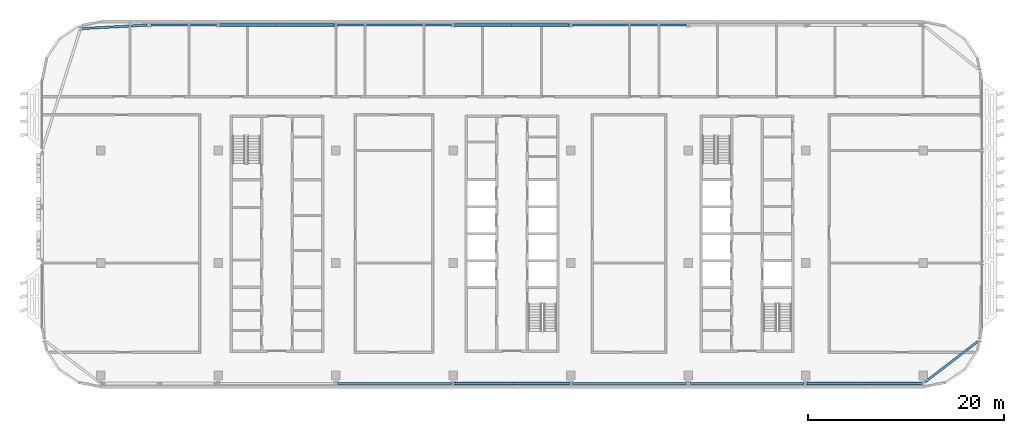
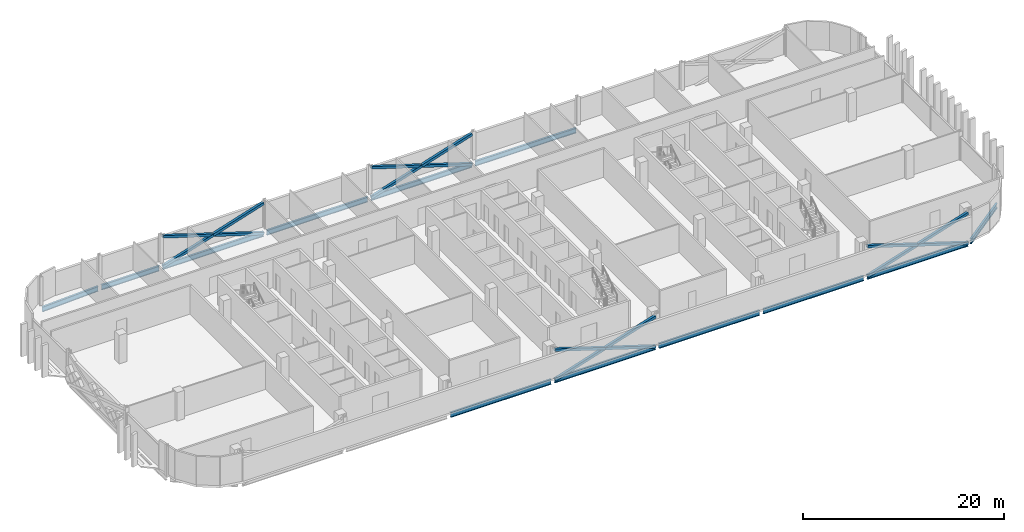
# One storey, part 7 of 25: 12 beams, 12 members.
"""IFC4 building model written with IfcOpenShell, lengths in metres."""

from ifc_helpers import new_model, si_unit, direction, frame, origin, origin_2d, place, context, subcontext, project, spatial, hollow_rectangle, i_section, extrude, material, material_profile, profile_set, type_object, element, save


model = new_model("IFC4")

# Units and contexts
model_context = context("Model", 3, precision=1e-05, world=origin(), true_north=direction((0.0, 1.0)))
body_context = subcontext(model_context, "Body", "Model", "MODEL_VIEW")
ifc_project = project(units=[si_unit("LENGTHUNIT", "METRE"), si_unit("AREAUNIT", "SQUARE_METRE"), si_unit("VOLUMEUNIT", "CUBIC_METRE"), si_unit("PLANEANGLEUNIT", "RADIAN"), si_unit("MASSUNIT", "GRAM", prefix="KILO")], contexts=[model_context])

# Site, building, storey
site_placement = place(None, origin())
site = spatial("IfcSite", under=ifc_project, at=site_placement, CompositionType="ELEMENT")
building_placement = place(site_placement, origin())
building = spatial("IfcBuilding", under=site, at=building_placement, Name="Mahtab Terrace Research Tower", CompositionType="ELEMENT")
storey_placement = place(building_placement, frame((0.0, 0.0, 278.5)))
storey = spatial("IfcBuildingStorey", under=building, at=storey_placement, Name="L68", CompositionType="ELEMENT", Elevation=278.5)

# Members
ifc_material_1 = material(Name="Steel ASTM A500 Gr C", Category="steel")
ifc_material_profile_1 = material_profile(ifc_material_1, hollow_rectangle(XDim=0.3046875, YDim=0.3046875, WallThickness=0.015869140625, at=origin_2d()), Name="HSS12X12X5/8")
ifc_profile_set_1 = profile_set([ifc_material_profile_1], Name="Steel ASTM A500 Gr C")
member_type = type_object("IfcMemberType", Name="HSS 12x12x5/8 brace XB121258", PredefinedType="BRACE", material=ifc_profile_set_1)
member_1_placement = place(storey_placement, frame((5.80322265625, 24.306884765625, -0.581298828125), z_axis=(-0.953344149173, 0.0, 0.301885629399), x_axis=(0.0, -1.0, 0.0)))
element("IfcMember", 1, at=member_1_placement, inside=storey, type_object=member_type, Name="Exoskeleton brace L68 05 a", PredefinedType="BRACE", context=body_context, shape_type="SweptSolid", body=[
    extrude(hollow_rectangle(XDim=0.3046875, YDim=0.3046875, WallThickness=0.015869140625, at=origin_2d()), origin(), (0.0, 0.0, 1.0), 12.174560546875),
])
for number, where, z_axis, x_axis, name in (
    (2, (-5.80322265625, 24.306884765625, -0.581298828125), (0.953344149173, 0.0, 0.301885629399), (0.0, 1.0, 0.0), "Exoskeleton brace L68 05 b1"),
    (3, (0.0, 24.306884765625, 1.25634765625), (0.953344149173, 0.0, 0.301885629399), (0.0, 1.0, 0.0), "Exoskeleton brace L68 05 b2"),
):
    element("IfcMember", number, at=place(storey_placement, frame(where, z_axis=z_axis, x_axis=x_axis)), inside=storey, type_object=member_type, Name=name, PredefinedType="BRACE", context=body_context, shape_type="SweptSolid", body=[
        extrude(hollow_rectangle(XDim=0.3046875, YDim=0.3046875, WallThickness=0.015869140625, at=origin_2d()), origin(), (0.0, 0.0, 1.0), 6.087158203125),
    ])
member_2_placement = place(storey_placement, frame((-18.19677734375, 24.306884765625, -0.581298828125), z_axis=(-0.953344149173, 0.0, 0.301885629399), x_axis=(0.0, -1.0, 0.0)))
element("IfcMember", 4, at=member_2_placement, inside=storey, type_object=member_type, Name="Exoskeleton brace L68 07 a", PredefinedType="BRACE", context=body_context, shape_type="SweptSolid", body=[
    extrude(hollow_rectangle(XDim=0.3046875, YDim=0.3046875, WallThickness=0.015869140625, at=origin_2d()), origin(), (0.0, 0.0, 1.0), 12.174560546875),
])
for number, where, z_axis, x_axis, name in (
    (5, (-29.80322265625, 24.306884765625, -0.581298828125), (0.953344149173, 0.0, 0.301885629399), (0.0, 1.0, 0.0), "Exoskeleton brace L68 07 b1"),
    (6, (-24.0, 24.306884765625, 1.25634765625), (0.953344149173, 0.0, 0.301885629399), (0.0, 1.0, 0.0), "Exoskeleton brace L68 07 b2"),
):
    element("IfcMember", number, at=place(storey_placement, frame(where, z_axis=z_axis, x_axis=x_axis)), inside=storey, type_object=member_type, Name=name, PredefinedType="BRACE", context=body_context, shape_type="SweptSolid", body=[
        extrude(hollow_rectangle(XDim=0.3046875, YDim=0.3046875, WallThickness=0.015869140625, at=origin_2d()), origin(), (0.0, 0.0, 1.0), 6.087158203125),
    ])
member_3_placement = place(storey_placement, frame((-5.80322265625, -12.306884765625, -0.581298828125), z_axis=(0.953344149173, 0.0, 0.301885629399), x_axis=(0.0, 1.0, 0.0)))
element("IfcMember", 7, at=member_3_placement, inside=storey, type_object=member_type, Name="Exoskeleton brace L68 17 a", PredefinedType="BRACE", context=body_context, shape_type="SweptSolid", body=[
    extrude(hollow_rectangle(XDim=0.3046875, YDim=0.3046875, WallThickness=0.015869140625, at=origin_2d()), origin(), (0.0, 0.0, 1.0), 12.174560546875),
])
for number, where, z_axis, x_axis, name in (
    (8, (5.80322265625, -12.306884765625, -0.581298828125), (-0.953344149173, 0.0, 0.301885629399), (0.0, -1.0, 0.0), "Exoskeleton brace L68 17 b1"),
    (9, (0.0, -12.306884765625, 1.25634765625), (-0.953344149173, 0.0, 0.301885629399), (0.0, -1.0, 0.0), "Exoskeleton brace L68 17 b2"),
):
    element("IfcMember", number, at=place(storey_placement, frame(where, z_axis=z_axis, x_axis=x_axis)), inside=storey, type_object=member_type, Name=name, PredefinedType="BRACE", context=body_context, shape_type="SweptSolid", body=[
        extrude(hollow_rectangle(XDim=0.3046875, YDim=0.3046875, WallThickness=0.015869140625, at=origin_2d()), origin(), (0.0, 0.0, 1.0), 6.087158203125),
    ])
member_4_placement = place(storey_placement, frame((30.19677734375, -12.306884765625, -0.581298828125), z_axis=(0.953344149173, 0.0, 0.301885629399), x_axis=(0.0, 1.0, 0.0)))
element("IfcMember", 10, at=member_4_placement, inside=storey, type_object=member_type, Name="Exoskeleton brace L68 20 a", PredefinedType="BRACE", context=body_context, shape_type="SweptSolid", body=[
    extrude(hollow_rectangle(XDim=0.3046875, YDim=0.3046875, WallThickness=0.015869140625, at=origin_2d()), origin(), (0.0, 0.0, 1.0), 12.174560546875),
])
for number, where, z_axis, x_axis, name in (
    (11, (41.80322265625, -12.306884765625, -0.581298828125), (-0.953344149173, 0.0, 0.301885629399), (0.0, -1.0, 0.0), "Exoskeleton brace L68 20 b1"),
    (12, (36.0, -12.306884765625, 1.25634765625), (-0.953344149173, 0.0, 0.301885629399), (0.0, -1.0, 0.0), "Exoskeleton brace L68 20 b2"),
):
    element("IfcMember", number, at=place(storey_placement, frame(where, z_axis=z_axis, x_axis=x_axis)), inside=storey, type_object=member_type, Name=name, PredefinedType="BRACE", context=body_context, shape_type="SweptSolid", body=[
        extrude(hollow_rectangle(XDim=0.3046875, YDim=0.3046875, WallThickness=0.015869140625, at=origin_2d()), origin(), (0.0, 0.0, 1.0), 6.087158203125),
    ])

# Beams
ifc_material_2 = material(Name="Steel ASTM A992 Gr 50", Category="steel")
ifc_material_profile_2 = material_profile(ifc_material_2, i_section(OverallWidth=0.228271484375, OverallDepth=0.607177734375, WebThickness=0.01123046875, FlangeThickness=0.017333984375, at=origin_2d()), Name="W24X76")
ifc_profile_set_2 = profile_set([ifc_material_profile_2], Name="Steel ASTM A992 Gr 50")
beam_type = type_object("IfcBeamType", Name="W24x76 beam BS2476", PredefinedType="BEAM", material=ifc_profile_set_2)
for number, where, z_axis, x_axis, name in (
    (13, (17.80322265625, 24.306884765625, -0.6435546875), (-1.0, 0.0, 0.0), (0.0, -1.0, 0.0), "Spandrel beam L68 04"),
    (14, (5.80322265625, 24.306884765625, -0.6435546875), (-1.0, 0.0, 0.0), (0.0, -1.0, 0.0), "Spandrel beam L68 05"),
    (15, (-6.19677734375, 24.306884765625, -0.6435546875), (-1.0, 0.0, 0.0), (0.0, -1.0, 0.0), "Spandrel beam L68 06"),
    (16, (-18.19677734375, 24.306884765625, -0.6435546875), (-1.0, 0.0, 0.0), (0.0, -1.0, 0.0), "Spandrel beam L68 07"),
):
    element("IfcBeam", number, at=place(storey_placement, frame(where, z_axis=z_axis, x_axis=x_axis)), inside=storey, type_object=beam_type, Name=name, PredefinedType="BEAM", context=body_context, shape_type="SweptSolid", body=[
        extrude(i_section(OverallWidth=0.228271484375, OverallDepth=0.607177734375, WebThickness=0.01123046875, FlangeThickness=0.017333984375, at=origin_2d()), origin(), (0.0, 0.0, 1.0), 11.6064453125),
    ])
beam_1_placement = place(storey_placement, frame((-30.19677734375, 24.306884765625, -0.6435546875), z_axis=(-1.0, 0.0, 0.0), x_axis=(0.0, -1.0, 0.0)))
element("IfcBeam", 17, at=beam_1_placement, inside=storey, type_object=beam_type, Name="Spandrel beam L68 08", PredefinedType="BEAM", context=body_context, shape_type="SweptSolid", body=[
    extrude(i_section(OverallWidth=0.228271484375, OverallDepth=0.607177734375, WebThickness=0.01123046875, FlangeThickness=0.017333984375, at=origin_2d()), origin(), (0.0, 0.0, 1.0), 6.664306640625),
])
beam_2_placement = place(storey_placement, frame((-37.2548828125, 24.296630859375, -0.6435546875), z_axis=(-0.998610495128, -0.052697998249, 0.0), x_axis=(0.052697998249, -0.998610495128, 0.0)))
element("IfcBeam", 18, at=beam_2_placement, inside=storey, type_object=beam_type, Name="Spandrel beam L68 09", PredefinedType="BEAM", context=body_context, shape_type="SweptSolid", body=[
    extrude(i_section(OverallWidth=0.228271484375, OverallDepth=0.607177734375, WebThickness=0.01123046875, FlangeThickness=0.017333984375, at=origin_2d()), origin(), (0.0, 0.0, 1.0), 6.629638671875),
])
for number, where, z_axis, x_axis, name in (
    (19, (-17.80322265625, -12.306884765625, -0.6435546875), (1.0, 0.0, 0.0), (0.0, 1.0, 0.0), "Spandrel beam L68 16"),
    (20, (-5.80322265625, -12.306884765625, -0.6435546875), (1.0, 0.0, 0.0), (0.0, 1.0, 0.0), "Spandrel beam L68 17"),
    (21, (6.19677734375, -12.306884765625, -0.6435546875), (1.0, 0.0, 0.0), (0.0, 1.0, 0.0), "Spandrel beam L68 18"),
    (22, (18.19677734375, -12.306884765625, -0.6435546875), (1.0, 0.0, 0.0), (0.0, 1.0, 0.0), "Spandrel beam L68 19"),
    (23, (30.19677734375, -12.306884765625, -0.6435546875), (1.0, 0.0, 0.0), (0.0, 1.0, 0.0), "Spandrel beam L68 20"),
):
    element("IfcBeam", number, at=place(storey_placement, frame(where, z_axis=z_axis, x_axis=x_axis)), inside=storey, type_object=beam_type, Name=name, PredefinedType="BEAM", context=body_context, shape_type="SweptSolid", body=[
        extrude(i_section(OverallWidth=0.228271484375, OverallDepth=0.607177734375, WebThickness=0.01123046875, FlangeThickness=0.017333984375, at=origin_2d()), origin(), (0.0, 0.0, 1.0), 11.6064453125),
    ])
beam_3_placement = place(storey_placement, frame((42.19677734375, -12.155517578125, -0.6435546875), z_axis=(0.792687883453, 0.60962768919, 0.0), x_axis=(-0.60962768919, 0.792687883453, 0.0)))
element("IfcBeam", 24, at=beam_3_placement, inside=storey, type_object=beam_type, Name="Spandrel beam L68 21", PredefinedType="BEAM", context=body_context, shape_type="SweptSolid", body=[
    extrude(i_section(OverallWidth=0.228271484375, OverallDepth=0.607177734375, WebThickness=0.01123046875, FlangeThickness=0.017333984375, at=origin_2d()), origin(), (0.0, 0.0, 1.0), 6.817626953125),
])

save(model, "model.ifc")
